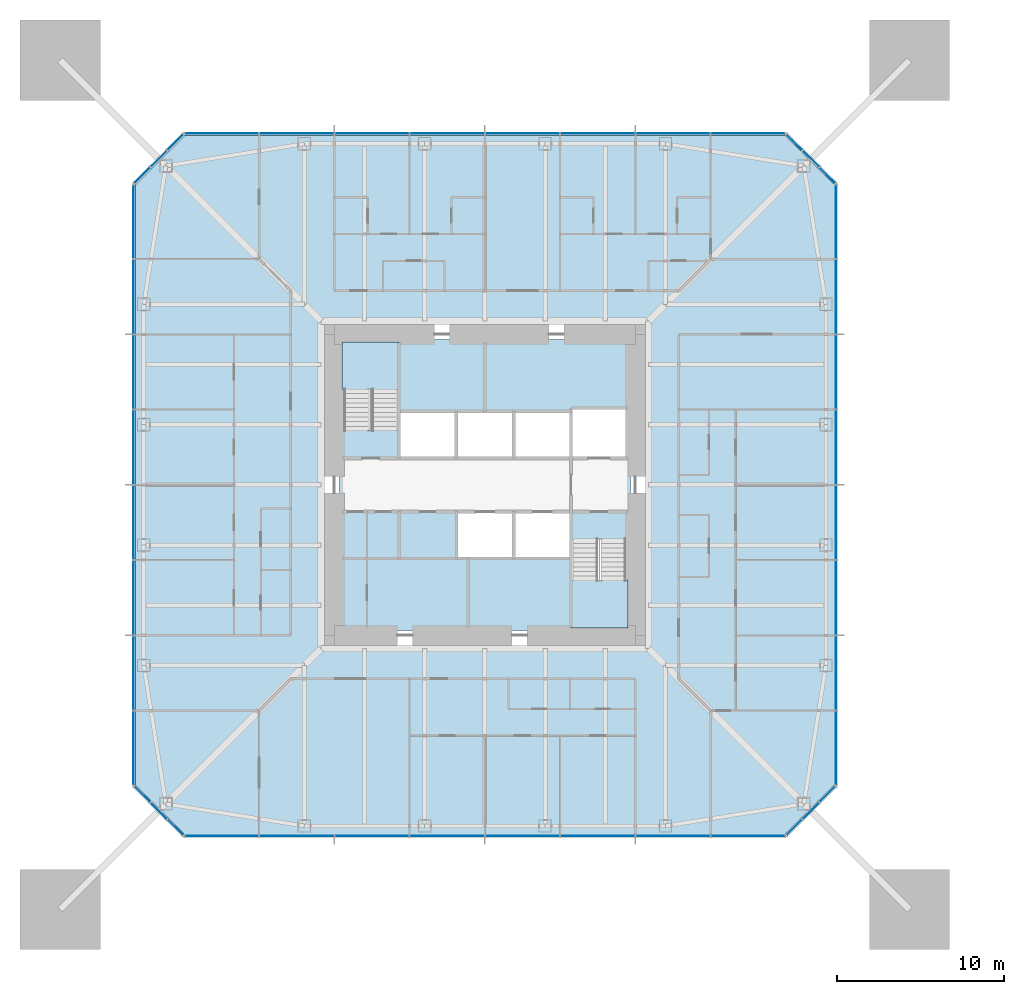
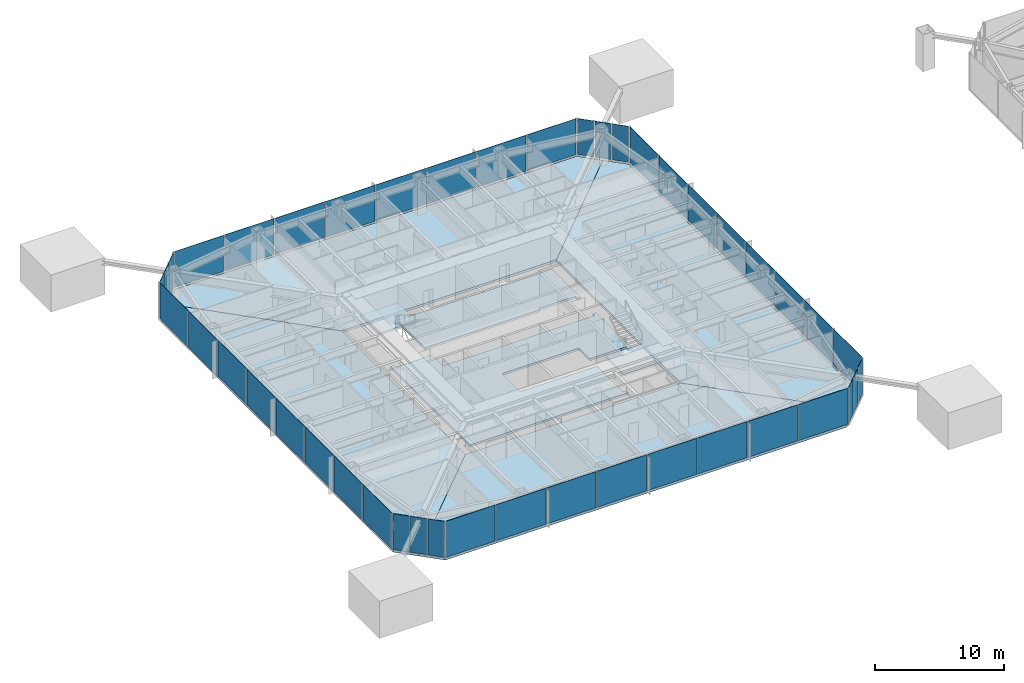
# One storey, part 11 of 25: 44 plates, 8 slabs, 10 elements without a shape of their own.
"""IFC4 building model written with IfcOpenShell, lengths in metres."""

from ifc_helpers import new_model, si_unit, direction, frame, origin, origin_2d, place, context, subcontext, project, spatial, polyline, rectangle, outline, extrude, material, layer, layer_set, constituent, constituent_set, type_object, element, aggregate, save


model = new_model("IFC4")

# Units and contexts
model_context = context("Model", 3, precision=1e-05, world=origin(), true_north=direction((0.0, 1.0)))
body_context = subcontext(model_context, "Body", "Model", "MODEL_VIEW")
ifc_project = project(units=[si_unit("LENGTHUNIT", "METRE"), si_unit("AREAUNIT", "SQUARE_METRE"), si_unit("VOLUMEUNIT", "CUBIC_METRE"), si_unit("PLANEANGLEUNIT", "RADIAN"), si_unit("MASSUNIT", "GRAM", prefix="KILO")], contexts=[model_context])

# Site, building, storey
site_placement = place(None, origin())
site = spatial("IfcSite", under=ifc_project, at=site_placement, CompositionType="ELEMENT")
building_placement = place(site_placement, origin())
building = spatial("IfcBuilding", under=site, at=building_placement, Name="Iwan Alto Co-Living Towers", CompositionType="ELEMENT")
storey_placement = place(building_placement, frame((0.0, 0.0, 105.0)))
storey = spatial("IfcBuildingStorey", under=building, at=storey_placement, Name="L28", CompositionType="ELEMENT", Elevation=105.0)

# Slabs
ifc_material_1 = material(Name="Concrete f'c 30 MPa", Category="concrete")
ifc_layer_1 = layer(ifc_material_1, 0.199951171875)
ifc_layer_set_1 = layer_set([ifc_layer_1], Name="CORE FLOOR SLAB 200")
slab_type_1 = type_object("IfcSlabType", Name="CORE FLOOR SLAB 200", PredefinedType="FLOOR", material=ifc_layer_set_1)
slab_1_placement = place(storey_placement, frame((0.0, 0.0, -0.199951171875)))
element("IfcSlab", 1, at=slab_1_placement, inside=storey, type_object=slab_type_1, Name="T1 core floor L28", PredefinedType="FLOOR", context=body_context, shape_type="SweptSolid", body=[
    extrude(outline(polyline([(5.14990234375, -1.60009765625), (1.72509765625, -1.60009765625), (-1.699951171875, -1.60009765625), (-1.699951171875, -4.39990234375), (1.72509765625, -4.39990234375), (5.14990234375, -4.39990234375), (5.14990234375, -8.39990234375), (5.4599609375, -8.39990234375), (5.4599609375, -8.699951171875), (-8.699951171875, -8.699951171875), (-8.699951171875, 3.580078125), (-8.39990234375, 3.580078125), (-8.39990234375, 3.27001953125), (-5.14990234375, 3.27001953125), (-5.14990234375, 1.60009765625), (-1.717041015625, 1.60009765625), (1.717041015625, 1.60009765625), (5.14990234375, 1.60009765625), (8.39990234375, 1.60009765625), (8.39990234375, 1.909912109375), (8.699951171875, 1.909912109375), (8.699951171875, -3.580078125), (8.39990234375, -3.580078125), (8.39990234375, -3.27001953125), (5.14990234375, -3.27001953125), (5.14990234375, -1.60009765625)])), origin(), (0.0, 0.0, 1.0), 0.199951171875),
])
slab_2_placement = place(storey_placement, frame((0.0, 0.0, -0.199951171875)))
element("IfcSlab", 2, at=slab_2_placement, inside=storey, type_object=slab_type_1, Name="T1 core floor L28", PredefinedType="FLOOR", context=body_context, shape_type="SweptSolid", body=[
    extrude(outline(polyline([(1.717041015625, 4.39990234375), (-1.717041015625, 4.39990234375), (-5.14990234375, 4.39990234375), (-5.14990234375, 8.39990234375), (-5.4599609375, 8.39990234375), (-5.4599609375, 8.699951171875), (8.699951171875, 8.699951171875), (8.699951171875, 4.2900390625), (8.39990234375, 4.2900390625), (8.39990234375, 4.60009765625), (5.14990234375, 4.60009765625), (5.14990234375, 4.39990234375), (1.717041015625, 4.39990234375)])), origin(), (0.0, 0.0, 1.0), 0.199951171875),
])

# Curtain wall, plates
ifc_material_2 = material(Name="Bronze aluminium unitised frame", Category="aluminium")
curtain_wall_type_1 = type_object("IfcCurtainWallType", Name="CURTAIN WALL CW-A", PredefinedType="NOTDEFINED", material=ifc_material_2)
curtain_wall_1_placement = place(storey_placement, origin())
curtain_wall_1 = element("IfcCurtainWall", 3, at=curtain_wall_1_placement, inside=storey, type_object=curtain_wall_type_1, Name="T1 curtain wall S L28", PredefinedType="NOTDEFINED")
ifc_material_3 = material(Name="Bronze-tinted insulating glass", Category="glass")
ifc_layer_2 = layer(ifc_material_3, 0.031982421875)
ifc_layer_set_2 = layer_set([ifc_layer_2], Name="CW-A PANEL TINTED IGU 32")
plate_type_1 = type_object("IfcPlateType", Name="CW-A PANEL TINTED IGU 32", PredefinedType="CURTAIN_PANEL", material=ifc_layer_set_2)
plate_1_placement = place(storey_placement, frame((-15.72998046875, -21.0, 0.10009765625), z_axis=(0.0, 0.0, 1.0), x_axis=(1.0, 0.0, 0.0)))
plate_1 = element("IfcPlate", 4, at=plate_1_placement, type_object=plate_type_1, Name="CW-A panel 1.1", PredefinedType="CURTAIN_PANEL", context=body_context, shape_type="SweptSolid", body=[
    extrude(rectangle(XDim=4.3798828125, YDim=0.031982421875, at=origin_2d()), origin(), (0.0, 0.0, 1.0), 3.39990234375),
])
plate_2_placement = place(storey_placement, frame((-11.25, -21.0, 0.10009765625), z_axis=(0.0, 0.0, 1.0), x_axis=(1.0, 0.0, 0.0)))
plate_2 = element("IfcPlate", 5, at=plate_2_placement, type_object=plate_type_1, Name="CW-A panel 2.1", PredefinedType="CURTAIN_PANEL", context=body_context, shape_type="SweptSolid", body=[
    extrude(rectangle(XDim=4.419921875, YDim=0.031982421875, at=origin_2d()), origin(), (0.0, 0.0, 1.0), 3.39990234375),
])
plate_3_placement = place(storey_placement, frame((-6.75, -21.0, 0.10009765625), z_axis=(0.0, 0.0, 1.0), x_axis=(1.0, 0.0, 0.0)))
plate_3 = element("IfcPlate", 6, at=plate_3_placement, type_object=plate_type_1, Name="CW-A panel 3.1", PredefinedType="CURTAIN_PANEL", context=body_context, shape_type="SweptSolid", body=[
    extrude(rectangle(XDim=4.419921875, YDim=0.031982421875, at=origin_2d()), origin(), (0.0, 0.0, 1.0), 3.39990234375),
])
plate_4_placement = place(storey_placement, frame((-2.25, -21.0, 0.10009765625), z_axis=(0.0, 0.0, 1.0), x_axis=(1.0, 0.0, 0.0)))
plate_4 = element("IfcPlate", 7, at=plate_4_placement, type_object=plate_type_1, Name="CW-A panel 4.1", PredefinedType="CURTAIN_PANEL", context=body_context, shape_type="SweptSolid", body=[
    extrude(rectangle(XDim=4.419921875, YDim=0.031982421875, at=origin_2d()), origin(), (0.0, 0.0, 1.0), 3.39990234375),
])
plate_5_placement = place(storey_placement, frame((2.25, -21.0, 0.10009765625), z_axis=(0.0, 0.0, 1.0), x_axis=(1.0, 0.0, 0.0)))
plate_5 = element("IfcPlate", 8, at=plate_5_placement, type_object=plate_type_1, Name="CW-A panel 5.1", PredefinedType="CURTAIN_PANEL", context=body_context, shape_type="SweptSolid", body=[
    extrude(rectangle(XDim=4.419921875, YDim=0.031982421875, at=origin_2d()), origin(), (0.0, 0.0, 1.0), 3.39990234375),
])
plate_6_placement = place(storey_placement, frame((6.75, -21.0, 0.10009765625), z_axis=(0.0, 0.0, 1.0), x_axis=(1.0, 0.0, 0.0)))
plate_6 = element("IfcPlate", 9, at=plate_6_placement, type_object=plate_type_1, Name="CW-A panel 6.1", PredefinedType="CURTAIN_PANEL", context=body_context, shape_type="SweptSolid", body=[
    extrude(rectangle(XDim=4.419921875, YDim=0.031982421875, at=origin_2d()), origin(), (0.0, 0.0, 1.0), 3.39990234375),
])
plate_7_placement = place(storey_placement, frame((11.25, -21.0, 0.10009765625), z_axis=(0.0, 0.0, 1.0), x_axis=(1.0, 0.0, 0.0)))
plate_7 = element("IfcPlate", 10, at=plate_7_placement, type_object=plate_type_1, Name="CW-A panel 7.1", PredefinedType="CURTAIN_PANEL", context=body_context, shape_type="SweptSolid", body=[
    extrude(rectangle(XDim=4.419921875, YDim=0.031982421875, at=origin_2d()), origin(), (0.0, 0.0, 1.0), 3.39990234375),
])
plate_8_placement = place(storey_placement, frame((15.72998046875, -21.0, 0.10009765625), z_axis=(0.0, 0.0, 1.0), x_axis=(1.0, 0.0, 0.0)))
plate_8 = element("IfcPlate", 11, at=plate_8_placement, type_object=plate_type_1, Name="CW-A panel 8.1", PredefinedType="CURTAIN_PANEL", context=body_context, shape_type="SweptSolid", body=[
    extrude(rectangle(XDim=4.3798828125, YDim=0.031982421875, at=origin_2d()), origin(), (0.0, 0.0, 1.0), 3.39990234375),
])
aggregate(curtain_wall_1, [plate_1, plate_2, plate_3, plate_4, plate_5, plate_6, plate_7, plate_8])

curtain_wall_2_placement = place(storey_placement, origin())
curtain_wall_2 = element("IfcCurtainWall", 12, at=curtain_wall_2_placement, inside=storey, type_object=curtain_wall_type_1, Name="T1 curtain wall E L28", PredefinedType="NOTDEFINED")
plate_9_placement = place(storey_placement, frame((21.0, -15.72998046875, 0.10009765625), z_axis=(0.0, 0.0, 1.0), x_axis=(0.0, 1.0, 0.0)))
plate_9 = element("IfcPlate", 13, at=plate_9_placement, type_object=plate_type_1, Name="CW-A panel 1.1", PredefinedType="CURTAIN_PANEL", context=body_context, shape_type="SweptSolid", body=[
    extrude(rectangle(XDim=4.3798828125, YDim=0.031982421875, at=origin_2d()), origin(), (0.0, 0.0, 1.0), 3.39990234375),
])
plate_10_placement = place(storey_placement, frame((21.0, -11.25, 0.10009765625), z_axis=(0.0, 0.0, 1.0), x_axis=(0.0, 1.0, 0.0)))
plate_10 = element("IfcPlate", 14, at=plate_10_placement, type_object=plate_type_1, Name="CW-A panel 2.1", PredefinedType="CURTAIN_PANEL", context=body_context, shape_type="SweptSolid", body=[
    extrude(rectangle(XDim=4.419921875, YDim=0.031982421875, at=origin_2d()), origin(), (0.0, 0.0, 1.0), 3.39990234375),
])
plate_11_placement = place(storey_placement, frame((21.0, -6.75, 0.10009765625), z_axis=(0.0, 0.0, 1.0), x_axis=(0.0, 1.0, 0.0)))
plate_11 = element("IfcPlate", 15, at=plate_11_placement, type_object=plate_type_1, Name="CW-A panel 3.1", PredefinedType="CURTAIN_PANEL", context=body_context, shape_type="SweptSolid", body=[
    extrude(rectangle(XDim=4.419921875, YDim=0.031982421875, at=origin_2d()), origin(), (0.0, 0.0, 1.0), 3.39990234375),
])
plate_12_placement = place(storey_placement, frame((21.0, -2.25, 0.10009765625), z_axis=(0.0, 0.0, 1.0), x_axis=(0.0, 1.0, 0.0)))
plate_12 = element("IfcPlate", 16, at=plate_12_placement, type_object=plate_type_1, Name="CW-A panel 4.1", PredefinedType="CURTAIN_PANEL", context=body_context, shape_type="SweptSolid", body=[
    extrude(rectangle(XDim=4.419921875, YDim=0.031982421875, at=origin_2d()), origin(), (0.0, 0.0, 1.0), 3.39990234375),
])
plate_13_placement = place(storey_placement, frame((21.0, 2.25, 0.10009765625), z_axis=(0.0, 0.0, 1.0), x_axis=(0.0, 1.0, 0.0)))
plate_13 = element("IfcPlate", 17, at=plate_13_placement, type_object=plate_type_1, Name="CW-A panel 5.1", PredefinedType="CURTAIN_PANEL", context=body_context, shape_type="SweptSolid", body=[
    extrude(rectangle(XDim=4.419921875, YDim=0.031982421875, at=origin_2d()), origin(), (0.0, 0.0, 1.0), 3.39990234375),
])
plate_14_placement = place(storey_placement, frame((21.0, 6.75, 0.10009765625), z_axis=(0.0, 0.0, 1.0), x_axis=(0.0, 1.0, 0.0)))
plate_14 = element("IfcPlate", 18, at=plate_14_placement, type_object=plate_type_1, Name="CW-A panel 6.1", PredefinedType="CURTAIN_PANEL", context=body_context, shape_type="SweptSolid", body=[
    extrude(rectangle(XDim=4.419921875, YDim=0.031982421875, at=origin_2d()), origin(), (0.0, 0.0, 1.0), 3.39990234375),
])
plate_15_placement = place(storey_placement, frame((21.0, 11.25, 0.10009765625), z_axis=(0.0, 0.0, 1.0), x_axis=(0.0, 1.0, 0.0)))
plate_15 = element("IfcPlate", 19, at=plate_15_placement, type_object=plate_type_1, Name="CW-A panel 7.1", PredefinedType="CURTAIN_PANEL", context=body_context, shape_type="SweptSolid", body=[
    extrude(rectangle(XDim=4.419921875, YDim=0.031982421875, at=origin_2d()), origin(), (0.0, 0.0, 1.0), 3.39990234375),
])
plate_16_placement = place(storey_placement, frame((21.0, 15.72998046875, 0.10009765625), z_axis=(0.0, 0.0, 1.0), x_axis=(0.0, 1.0, 0.0)))
plate_16 = element("IfcPlate", 20, at=plate_16_placement, type_object=plate_type_1, Name="CW-A panel 8.1", PredefinedType="CURTAIN_PANEL", context=body_context, shape_type="SweptSolid", body=[
    extrude(rectangle(XDim=4.3798828125, YDim=0.031982421875, at=origin_2d()), origin(), (0.0, 0.0, 1.0), 3.39990234375),
])
aggregate(curtain_wall_2, [plate_9, plate_10, plate_11, plate_12, plate_13, plate_14, plate_15, plate_16])

curtain_wall_3_placement = place(storey_placement, origin())
curtain_wall_3 = element("IfcCurtainWall", 21, at=curtain_wall_3_placement, inside=storey, type_object=curtain_wall_type_1, Name="T1 curtain wall N L28", PredefinedType="NOTDEFINED")
plate_17_placement = place(storey_placement, frame((15.72998046875, 21.0, 0.10009765625), z_axis=(0.0, 0.0, 1.0), x_axis=(-1.0, 0.0, 0.0)))
plate_17 = element("IfcPlate", 22, at=plate_17_placement, type_object=plate_type_1, Name="CW-A panel 1.1", PredefinedType="CURTAIN_PANEL", context=body_context, shape_type="SweptSolid", body=[
    extrude(rectangle(XDim=4.3798828125, YDim=0.031982421875, at=origin_2d()), origin(), (0.0, 0.0, 1.0), 3.39990234375),
])
plate_18_placement = place(storey_placement, frame((11.25, 21.0, 0.10009765625), z_axis=(0.0, 0.0, 1.0), x_axis=(-1.0, 0.0, 0.0)))
plate_18 = element("IfcPlate", 23, at=plate_18_placement, type_object=plate_type_1, Name="CW-A panel 2.1", PredefinedType="CURTAIN_PANEL", context=body_context, shape_type="SweptSolid", body=[
    extrude(rectangle(XDim=4.419921875, YDim=0.031982421875, at=origin_2d()), origin(), (0.0, 0.0, 1.0), 3.39990234375),
])
plate_19_placement = place(storey_placement, frame((6.75, 21.0, 0.10009765625), z_axis=(0.0, 0.0, 1.0), x_axis=(-1.0, 0.0, 0.0)))
plate_19 = element("IfcPlate", 24, at=plate_19_placement, type_object=plate_type_1, Name="CW-A panel 3.1", PredefinedType="CURTAIN_PANEL", context=body_context, shape_type="SweptSolid", body=[
    extrude(rectangle(XDim=4.419921875, YDim=0.031982421875, at=origin_2d()), origin(), (0.0, 0.0, 1.0), 3.39990234375),
])
plate_20_placement = place(storey_placement, frame((2.25, 21.0, 0.10009765625), z_axis=(0.0, 0.0, 1.0), x_axis=(-1.0, 0.0, 0.0)))
plate_20 = element("IfcPlate", 25, at=plate_20_placement, type_object=plate_type_1, Name="CW-A panel 4.1", PredefinedType="CURTAIN_PANEL", context=body_context, shape_type="SweptSolid", body=[
    extrude(rectangle(XDim=4.419921875, YDim=0.031982421875, at=origin_2d()), origin(), (0.0, 0.0, 1.0), 3.39990234375),
])
plate_21_placement = place(storey_placement, frame((-2.25, 21.0, 0.10009765625), z_axis=(0.0, 0.0, 1.0), x_axis=(-1.0, 0.0, 0.0)))
plate_21 = element("IfcPlate", 26, at=plate_21_placement, type_object=plate_type_1, Name="CW-A panel 5.1", PredefinedType="CURTAIN_PANEL", context=body_context, shape_type="SweptSolid", body=[
    extrude(rectangle(XDim=4.419921875, YDim=0.031982421875, at=origin_2d()), origin(), (0.0, 0.0, 1.0), 3.39990234375),
])
plate_22_placement = place(storey_placement, frame((-6.75, 21.0, 0.10009765625), z_axis=(0.0, 0.0, 1.0), x_axis=(-1.0, 0.0, 0.0)))
plate_22 = element("IfcPlate", 27, at=plate_22_placement, type_object=plate_type_1, Name="CW-A panel 6.1", PredefinedType="CURTAIN_PANEL", context=body_context, shape_type="SweptSolid", body=[
    extrude(rectangle(XDim=4.419921875, YDim=0.031982421875, at=origin_2d()), origin(), (0.0, 0.0, 1.0), 3.39990234375),
])
plate_23_placement = place(storey_placement, frame((-11.25, 21.0, 0.10009765625), z_axis=(0.0, 0.0, 1.0), x_axis=(-1.0, 0.0, 0.0)))
plate_23 = element("IfcPlate", 28, at=plate_23_placement, type_object=plate_type_1, Name="CW-A panel 7.1", PredefinedType="CURTAIN_PANEL", context=body_context, shape_type="SweptSolid", body=[
    extrude(rectangle(XDim=4.419921875, YDim=0.031982421875, at=origin_2d()), origin(), (0.0, 0.0, 1.0), 3.39990234375),
])
plate_24_placement = place(storey_placement, frame((-15.72998046875, 21.0, 0.10009765625), z_axis=(0.0, 0.0, 1.0), x_axis=(-1.0, 0.0, 0.0)))
plate_24 = element("IfcPlate", 29, at=plate_24_placement, type_object=plate_type_1, Name="CW-A panel 8.1", PredefinedType="CURTAIN_PANEL", context=body_context, shape_type="SweptSolid", body=[
    extrude(rectangle(XDim=4.3798828125, YDim=0.031982421875, at=origin_2d()), origin(), (0.0, 0.0, 1.0), 3.39990234375),
])
aggregate(curtain_wall_3, [plate_17, plate_18, plate_19, plate_20, plate_21, plate_22, plate_23, plate_24])

curtain_wall_4_placement = place(storey_placement, origin())
curtain_wall_4 = element("IfcCurtainWall", 30, at=curtain_wall_4_placement, inside=storey, type_object=curtain_wall_type_1, Name="T1 curtain wall W L28", PredefinedType="NOTDEFINED")
plate_25_placement = place(storey_placement, frame((-21.0, 15.72998046875, 0.10009765625), z_axis=(0.0, 0.0, 1.0), x_axis=(0.0, -1.0, 0.0)))
plate_25 = element("IfcPlate", 31, at=plate_25_placement, type_object=plate_type_1, Name="CW-A panel 1.1", PredefinedType="CURTAIN_PANEL", context=body_context, shape_type="SweptSolid", body=[
    extrude(rectangle(XDim=4.3798828125, YDim=0.031982421875, at=origin_2d()), origin(), (0.0, 0.0, 1.0), 3.39990234375),
])
plate_26_placement = place(storey_placement, frame((-21.0, 11.25, 0.10009765625), z_axis=(0.0, 0.0, 1.0), x_axis=(0.0, -1.0, 0.0)))
plate_26 = element("IfcPlate", 32, at=plate_26_placement, type_object=plate_type_1, Name="CW-A panel 2.1", PredefinedType="CURTAIN_PANEL", context=body_context, shape_type="SweptSolid", body=[
    extrude(rectangle(XDim=4.419921875, YDim=0.031982421875, at=origin_2d()), origin(), (0.0, 0.0, 1.0), 3.39990234375),
])
plate_27_placement = place(storey_placement, frame((-21.0, 6.75, 0.10009765625), z_axis=(0.0, 0.0, 1.0), x_axis=(0.0, -1.0, 0.0)))
plate_27 = element("IfcPlate", 33, at=plate_27_placement, type_object=plate_type_1, Name="CW-A panel 3.1", PredefinedType="CURTAIN_PANEL", context=body_context, shape_type="SweptSolid", body=[
    extrude(rectangle(XDim=4.419921875, YDim=0.031982421875, at=origin_2d()), origin(), (0.0, 0.0, 1.0), 3.39990234375),
])
plate_28_placement = place(storey_placement, frame((-21.0, 2.25, 0.10009765625), z_axis=(0.0, 0.0, 1.0), x_axis=(0.0, -1.0, 0.0)))
plate_28 = element("IfcPlate", 34, at=plate_28_placement, type_object=plate_type_1, Name="CW-A panel 4.1", PredefinedType="CURTAIN_PANEL", context=body_context, shape_type="SweptSolid", body=[
    extrude(rectangle(XDim=4.419921875, YDim=0.031982421875, at=origin_2d()), origin(), (0.0, 0.0, 1.0), 3.39990234375),
])
plate_29_placement = place(storey_placement, frame((-21.0, -2.25, 0.10009765625), z_axis=(0.0, 0.0, 1.0), x_axis=(0.0, -1.0, 0.0)))
plate_29 = element("IfcPlate", 35, at=plate_29_placement, type_object=plate_type_1, Name="CW-A panel 5.1", PredefinedType="CURTAIN_PANEL", context=body_context, shape_type="SweptSolid", body=[
    extrude(rectangle(XDim=4.419921875, YDim=0.031982421875, at=origin_2d()), origin(), (0.0, 0.0, 1.0), 3.39990234375),
])
plate_30_placement = place(storey_placement, frame((-21.0, -6.75, 0.10009765625), z_axis=(0.0, 0.0, 1.0), x_axis=(0.0, -1.0, 0.0)))
plate_30 = element("IfcPlate", 36, at=plate_30_placement, type_object=plate_type_1, Name="CW-A panel 6.1", PredefinedType="CURTAIN_PANEL", context=body_context, shape_type="SweptSolid", body=[
    extrude(rectangle(XDim=4.419921875, YDim=0.031982421875, at=origin_2d()), origin(), (0.0, 0.0, 1.0), 3.39990234375),
])
plate_31_placement = place(storey_placement, frame((-21.0, -11.25, 0.10009765625), z_axis=(0.0, 0.0, 1.0), x_axis=(0.0, -1.0, 0.0)))
plate_31 = element("IfcPlate", 37, at=plate_31_placement, type_object=plate_type_1, Name="CW-A panel 7.1", PredefinedType="CURTAIN_PANEL", context=body_context, shape_type="SweptSolid", body=[
    extrude(rectangle(XDim=4.419921875, YDim=0.031982421875, at=origin_2d()), origin(), (0.0, 0.0, 1.0), 3.39990234375),
])
plate_32_placement = place(storey_placement, frame((-21.0, -15.72998046875, 0.10009765625), z_axis=(0.0, 0.0, 1.0), x_axis=(0.0, -1.0, 0.0)))
plate_32 = element("IfcPlate", 38, at=plate_32_placement, type_object=plate_type_1, Name="CW-A panel 8.1", PredefinedType="CURTAIN_PANEL", context=body_context, shape_type="SweptSolid", body=[
    extrude(rectangle(XDim=4.3798828125, YDim=0.031982421875, at=origin_2d()), origin(), (0.0, 0.0, 1.0), 3.39990234375),
])
aggregate(curtain_wall_4, [plate_25, plate_26, plate_27, plate_28, plate_29, plate_30, plate_31, plate_32])

ifc_material_4 = material(Name="Bronze aluminium unitised frame", Category="aluminium")
curtain_wall_type_2 = type_object("IfcCurtainWallType", Name="CURTAIN WALL CW-B", PredefinedType="NOTDEFINED", material=ifc_material_4)
curtain_wall_5_placement = place(storey_placement, origin())
curtain_wall_5 = element("IfcCurtainWall", 39, at=curtain_wall_5_placement, inside=storey, type_object=curtain_wall_type_2, Name="T1 chamfer curtain wall SE L28", PredefinedType="NOTDEFINED")
ifc_material_5 = material(Name="Bronze-tinted insulating glass", Category="glass")
ifc_layer_3 = layer(ifc_material_5, 0.031982421875)
ifc_layer_set_3 = layer_set([ifc_layer_3], Name="CW-B PANEL TINTED IGU 32")
plate_type_2 = type_object("IfcPlateType", Name="CW-B PANEL TINTED IGU 32", PredefinedType="CURTAIN_PANEL", material=ifc_layer_set_3)
plate_33_placement = place(storey_placement, frame((18.51416015625, -20.48583984375, 0.10009765625), z_axis=(0.0, 0.0, 1.0), x_axis=(0.707106781187, 0.707106781187, 0.0)))
plate_33 = element("IfcPlate", 40, at=plate_33_placement, type_object=plate_type_2, Name="CW-B panel 1.1", PredefinedType="CURTAIN_PANEL", context=body_context, shape_type="SweptSolid", body=[
    extrude(rectangle(XDim=1.294189453125, YDim=0.031982421875, at=origin_2d()), origin(), (0.0, 0.0, 1.0), 3.39990234375),
])
plate_34_placement = place(storey_placement, frame((19.5, -19.5, 0.10009765625), z_axis=(0.0, 0.0, 1.0), x_axis=(0.707106781187, 0.707106781187, 0.0)))
plate_34 = element("IfcPlate", 41, at=plate_34_placement, type_object=plate_type_2, Name="CW-B panel 2.1", PredefinedType="CURTAIN_PANEL", context=body_context, shape_type="SweptSolid", body=[
    extrude(rectangle(XDim=1.334228515625, YDim=0.031982421875, at=origin_2d()), origin(), (0.0, 0.0, 1.0), 3.39990234375),
])
plate_35_placement = place(storey_placement, frame((20.48583984375, -18.51416015625, 0.10009765625), z_axis=(0.0, 0.0, 1.0), x_axis=(0.707106781187, 0.707106781187, 0.0)))
plate_35 = element("IfcPlate", 42, at=plate_35_placement, type_object=plate_type_2, Name="CW-B panel 3.1", PredefinedType="CURTAIN_PANEL", context=body_context, shape_type="SweptSolid", body=[
    extrude(rectangle(XDim=1.294189453125, YDim=0.031982421875, at=origin_2d()), origin(), (0.0, 0.0, 1.0), 3.39990234375),
])
aggregate(curtain_wall_5, [plate_33, plate_34, plate_35])

curtain_wall_6_placement = place(storey_placement, origin())
curtain_wall_6 = element("IfcCurtainWall", 43, at=curtain_wall_6_placement, inside=storey, type_object=curtain_wall_type_2, Name="T1 chamfer curtain wall NE L28", PredefinedType="NOTDEFINED")
plate_36_placement = place(storey_placement, frame((20.48583984375, 18.51416015625, 0.10009765625), z_axis=(0.0, 0.0, 1.0), x_axis=(-0.707106781187, 0.707106781187, 0.0)))
plate_36 = element("IfcPlate", 44, at=plate_36_placement, type_object=plate_type_2, Name="CW-B panel 1.1", PredefinedType="CURTAIN_PANEL", context=body_context, shape_type="SweptSolid", body=[
    extrude(rectangle(XDim=1.294189453125, YDim=0.031982421875, at=origin_2d()), origin(), (0.0, 0.0, 1.0), 3.39990234375),
])
plate_37_placement = place(storey_placement, frame((19.5, 19.5, 0.10009765625), z_axis=(0.0, 0.0, 1.0), x_axis=(-0.707106781187, 0.707106781187, 0.0)))
plate_37 = element("IfcPlate", 45, at=plate_37_placement, type_object=plate_type_2, Name="CW-B panel 2.1", PredefinedType="CURTAIN_PANEL", context=body_context, shape_type="SweptSolid", body=[
    extrude(rectangle(XDim=1.334228515625, YDim=0.031982421875, at=origin_2d()), origin(), (0.0, 0.0, 1.0), 3.39990234375),
])
plate_38_placement = place(storey_placement, frame((18.51416015625, 20.48583984375, 0.10009765625), z_axis=(0.0, 0.0, 1.0), x_axis=(-0.707106781187, 0.707106781187, 0.0)))
plate_38 = element("IfcPlate", 46, at=plate_38_placement, type_object=plate_type_2, Name="CW-B panel 3.1", PredefinedType="CURTAIN_PANEL", context=body_context, shape_type="SweptSolid", body=[
    extrude(rectangle(XDim=1.294189453125, YDim=0.031982421875, at=origin_2d()), origin(), (0.0, 0.0, 1.0), 3.39990234375),
])
aggregate(curtain_wall_6, [plate_36, plate_37, plate_38])

curtain_wall_7_placement = place(storey_placement, origin())
curtain_wall_7 = element("IfcCurtainWall", 47, at=curtain_wall_7_placement, inside=storey, type_object=curtain_wall_type_2, Name="T1 chamfer curtain wall NW L28", PredefinedType="NOTDEFINED")
plate_39_placement = place(storey_placement, frame((-18.51416015625, 20.48583984375, 0.10009765625), z_axis=(0.0, 0.0, 1.0), x_axis=(-0.707106781187, -0.707106781187, 0.0)))
plate_39 = element("IfcPlate", 48, at=plate_39_placement, type_object=plate_type_2, Name="CW-B panel 1.1", PredefinedType="CURTAIN_PANEL", context=body_context, shape_type="SweptSolid", body=[
    extrude(rectangle(XDim=1.294189453125, YDim=0.031982421875, at=origin_2d()), origin(), (0.0, 0.0, 1.0), 3.39990234375),
])
plate_40_placement = place(storey_placement, frame((-19.5, 19.5, 0.10009765625), z_axis=(0.0, 0.0, 1.0), x_axis=(-0.707106781187, -0.707106781187, 0.0)))
plate_40 = element("IfcPlate", 49, at=plate_40_placement, type_object=plate_type_2, Name="CW-B panel 2.1", PredefinedType="CURTAIN_PANEL", context=body_context, shape_type="SweptSolid", body=[
    extrude(rectangle(XDim=1.334228515625, YDim=0.031982421875, at=origin_2d()), origin(), (0.0, 0.0, 1.0), 3.39990234375),
])
plate_41_placement = place(storey_placement, frame((-20.48583984375, 18.51416015625, 0.10009765625), z_axis=(0.0, 0.0, 1.0), x_axis=(-0.707106781187, -0.707106781187, 0.0)))
plate_41 = element("IfcPlate", 50, at=plate_41_placement, type_object=plate_type_2, Name="CW-B panel 3.1", PredefinedType="CURTAIN_PANEL", context=body_context, shape_type="SweptSolid", body=[
    extrude(rectangle(XDim=1.294189453125, YDim=0.031982421875, at=origin_2d()), origin(), (0.0, 0.0, 1.0), 3.39990234375),
])
aggregate(curtain_wall_7, [plate_39, plate_40, plate_41])

curtain_wall_8_placement = place(storey_placement, origin())
curtain_wall_8 = element("IfcCurtainWall", 51, at=curtain_wall_8_placement, inside=storey, type_object=curtain_wall_type_2, Name="T1 chamfer curtain wall SW L28", PredefinedType="NOTDEFINED")
plate_42_placement = place(storey_placement, frame((-20.48583984375, -18.51416015625, 0.10009765625), z_axis=(0.0, 0.0, 1.0), x_axis=(0.707106781187, -0.707106781187, 0.0)))
plate_42 = element("IfcPlate", 52, at=plate_42_placement, type_object=plate_type_2, Name="CW-B panel 1.1", PredefinedType="CURTAIN_PANEL", context=body_context, shape_type="SweptSolid", body=[
    extrude(rectangle(XDim=1.294189453125, YDim=0.031982421875, at=origin_2d()), origin(), (0.0, 0.0, 1.0), 3.39990234375),
])
plate_43_placement = place(storey_placement, frame((-19.5, -19.5, 0.10009765625), z_axis=(0.0, 0.0, 1.0), x_axis=(0.707106781187, -0.707106781187, 0.0)))
plate_43 = element("IfcPlate", 53, at=plate_43_placement, type_object=plate_type_2, Name="CW-B panel 2.1", PredefinedType="CURTAIN_PANEL", context=body_context, shape_type="SweptSolid", body=[
    extrude(rectangle(XDim=1.334228515625, YDim=0.031982421875, at=origin_2d()), origin(), (0.0, 0.0, 1.0), 3.39990234375),
])
plate_44_placement = place(storey_placement, frame((-18.51416015625, -20.48583984375, 0.10009765625), z_axis=(0.0, 0.0, 1.0), x_axis=(0.707106781187, -0.707106781187, 0.0)))
plate_44 = element("IfcPlate", 54, at=plate_44_placement, type_object=plate_type_2, Name="CW-B panel 3.1", PredefinedType="CURTAIN_PANEL", context=body_context, shape_type="SweptSolid", body=[
    extrude(rectangle(XDim=1.294189453125, YDim=0.031982421875, at=origin_2d()), origin(), (0.0, 0.0, 1.0), 3.39990234375),
])
aggregate(curtain_wall_8, [plate_42, plate_43, plate_44])

# Stair, slab
ifc_material_6 = material(Name="Steel ASTM A36", Category="steel")
ifc_constituent_1 = constituent(ifc_material_6, Name="Stringers", Category="LoadBearing")
ifc_material_7 = material(Name="Concrete f'c 30 MPa", Category="concrete")
ifc_constituent_2 = constituent(ifc_material_7, Name="Tread fill", Category="Finish")
ifc_constituent_set = constituent_set(constituents=[ifc_constituent_1, ifc_constituent_2], Name="STAIR 3500 TWO-FLIGHT T1 CORE")
stair_type = type_object("IfcStairType", Name="STAIR 3500 TWO-FLIGHT T1 CORE", PredefinedType="HALF_TURN_STAIR", material=ifc_constituent_set)
stair_1_placement = place(storey_placement, origin())
stair_1 = element("IfcStair", 55, at=stair_1_placement, inside=storey, type_object=stair_type, Name="Stair T1-S1 L28 to L29", PredefinedType="HALF_TURN_STAIR")
ifc_material_8 = material(Name="Concrete f'c 30 MPa", Category="concrete")
ifc_layer_4 = layer(ifc_material_8, 0.199951171875)
ifc_layer_set_4 = layer_set([ifc_layer_4], Name="STAIR LANDING 200")
slab_type_2 = type_object("IfcSlabType", Name="STAIR LANDING 200", PredefinedType="LANDING", material=ifc_layer_set_4)
slab_3_placement = place(storey_placement, frame((0.0, 0.0, 1.550048828125)))
slab_3 = element("IfcSlab", 56, at=slab_3_placement, type_object=slab_type_2, Name="T1-S1 landing 1", PredefinedType="LANDING", context=body_context, shape_type="SweptSolid", body=[
    extrude(outline(polyline([(-8.550048828125, 5.68994140625), (-8.550048828125, 8.550048828125), (-5.14990234375, 8.550048828125), (-5.14990234375, 5.68994140625), (-8.550048828125, 5.68994140625)])), origin(), (0.0, 0.0, 1.0), 0.199951171875),
])
aggregate(stair_1, [slab_3])

stair_2_placement = place(storey_placement, origin())
stair_2 = element("IfcStair", 57, at=stair_2_placement, inside=storey, type_object=stair_type, Name="Stair T1-S2 L28 to L29", PredefinedType="HALF_TURN_STAIR")
slab_4_placement = place(storey_placement, frame((0.0, 0.0, 1.550048828125)))
slab_4 = element("IfcSlab", 58, at=slab_4_placement, type_object=slab_type_2, Name="T1-S2 landing 1", PredefinedType="LANDING", context=body_context, shape_type="SweptSolid", body=[
    extrude(outline(polyline([(5.14990234375, -5.68994140625), (5.14990234375, -8.550048828125), (8.550048828125, -8.550048828125), (8.550048828125, -5.68994140625), (5.14990234375, -5.68994140625)])), origin(), (0.0, 0.0, 1.0), 0.199951171875),
])
aggregate(stair_2, [slab_4])

# Slabs
ifc_material_9 = material(Name="Concrete f'c 30 MPa", Category="concrete")
ifc_layer_5 = layer(ifc_material_9, 0.22998046875)
ifc_layer_set_5 = layer_set([ifc_layer_5], Name="T1 FLOOR SLAB 230")
slab_type_3 = type_object("IfcSlabType", Name="T1 FLOOR SLAB 230", PredefinedType="FLOOR", material=ifc_layer_set_5)
slab_5_placement = place(storey_placement, frame((0.0, 0.0, -0.22998046875)))
element("IfcSlab", 59, at=slab_5_placement, inside=storey, type_object=slab_type_3, Name="T1 floor slab L28 S pour", PredefinedType="FLOOR", context=body_context, shape_type="SweptSolid", body=[
    extrude(outline(polyline([(17.94140625, -20.89990234375), (-17.94140625, -20.89990234375), (-19.420654296875, -19.420654296875), (-9.60009765625, -9.60009765625), (9.60009765625, -9.60009765625), (19.420654296875, -19.420654296875), (17.94140625, -20.89990234375)])), origin(), (0.0, 0.0, 1.0), 0.22998046875),
])
slab_6_placement = place(storey_placement, frame((0.0, 0.0, -0.22998046875)))
element("IfcSlab", 60, at=slab_6_placement, inside=storey, type_object=slab_type_3, Name="T1 floor slab L28 E pour", PredefinedType="FLOOR", context=body_context, shape_type="SweptSolid", body=[
    extrude(outline(polyline([(20.89990234375, 17.94140625), (20.89990234375, -17.94140625), (19.420654296875, -19.420654296875), (9.60009765625, -9.60009765625), (9.60009765625, 9.60009765625), (19.420654296875, 19.420654296875), (20.89990234375, 17.94140625)])), origin(), (0.0, 0.0, 1.0), 0.22998046875),
])
slab_7_placement = place(storey_placement, frame((0.0, 0.0, -0.22998046875)))
element("IfcSlab", 61, at=slab_7_placement, inside=storey, type_object=slab_type_3, Name="T1 floor slab L28 N pour", PredefinedType="FLOOR", context=body_context, shape_type="SweptSolid", body=[
    extrude(outline(polyline([(-17.94140625, 20.89990234375), (17.94140625, 20.89990234375), (19.420654296875, 19.420654296875), (9.60009765625, 9.60009765625), (-9.60009765625, 9.60009765625), (-19.420654296875, 19.420654296875), (-17.94140625, 20.89990234375)])), origin(), (0.0, 0.0, 1.0), 0.22998046875),
])
slab_8_placement = place(storey_placement, frame((0.0, 0.0, -0.22998046875)))
element("IfcSlab", 62, at=slab_8_placement, inside=storey, type_object=slab_type_3, Name="T1 floor slab L28 W pour", PredefinedType="FLOOR", context=body_context, shape_type="SweptSolid", body=[
    extrude(outline(polyline([(-20.89990234375, 17.94140625), (-19.420654296875, 19.420654296875), (-9.60009765625, 9.60009765625), (-9.60009765625, -9.60009765625), (-19.420654296875, -19.420654296875), (-20.89990234375, -17.94140625), (-20.89990234375, 17.94140625)])), origin(), (0.0, 0.0, 1.0), 0.22998046875),
])

save(model, "model.ifc")
